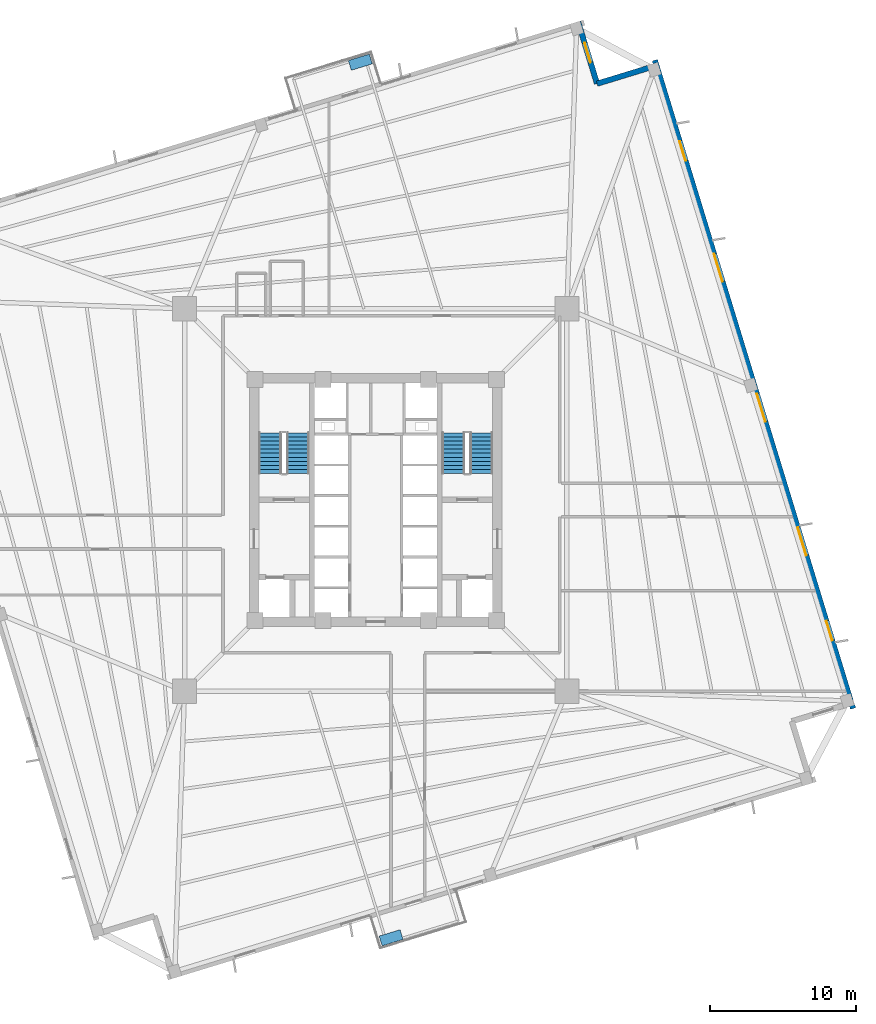
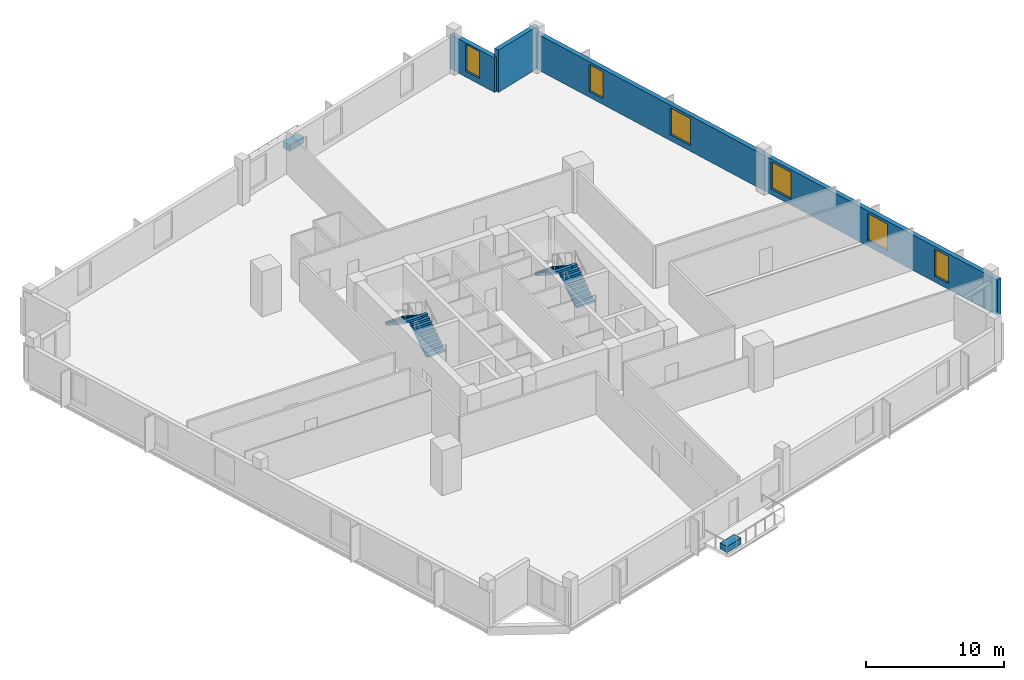
# One storey, part 5 of 8: 6 windows, 4 stair flights, 3 walls, 2 discrete accessories, 6 openings, 2 elements without a shape of their own.
"""IFC4 building model written with IfcOpenShell, lengths in metres."""

from ifc_helpers import new_model, si_unit, direction, frame, frame_2d, origin, origin_2d, place, context, subcontext, project, spatial, polyline, rectangle, outline, extrude, source, transform, mapped, material, layer, layer_set, type_object, element, fill, aggregate, save


model = new_model("IFC4")

# Units and contexts
model_context = context("Model", 3, precision=1e-05, world=origin(), true_north=direction((0.0, 1.0)))
body_context = subcontext(model_context, "Body", "Model", "MODEL_VIEW")
ifc_project = project(units=[si_unit("LENGTHUNIT", "METRE"), si_unit("AREAUNIT", "SQUARE_METRE"), si_unit("VOLUMEUNIT", "CUBIC_METRE"), si_unit("PLANEANGLEUNIT", "RADIAN"), si_unit("MASSUNIT", "GRAM", prefix="KILO"), si_unit("THERMODYNAMICTEMPERATUREUNIT", "KELVIN")], contexts=[model_context])

# Site, building, storey
site_placement = place(None, origin())
site = spatial("IfcSite", under=ifc_project, at=site_placement, CompositionType="ELEMENT")
building_placement = place(site_placement, origin())
building = spatial("IfcBuilding", under=site, at=building_placement, Name="Kosmvard Interchange Tower", CompositionType="ELEMENT")
storey_placement = place(building_placement, frame((0.0, 0.0, 103.199951171875)))
storey = spatial("IfcBuildingStorey", under=building, at=storey_placement, Name="L24", CompositionType="ELEMENT", Elevation=103.199951171875)

# Wall, openings, windows
ifc_material_1 = material(Name="Precast concrete C45/55", Category="concrete")
ifc_layer = layer(ifc_material_1, 0.3798828125, Name="Precast concrete C45/55")
ifc_layer_set = layer_set([ifc_layer], Name="Precast concrete C45/55")
wall_type = type_object("IfcWallType", Name="Lower Tower Precast Pier Wall 380 C45/55", PredefinedType="STANDARD", material=ifc_layer_set)
wall_1_placement = place(storey_placement, frame((32.65771484375, -14.26513671875, 0.0), z_axis=(0.0, 0.0, 1.0), x_axis=(-0.292373127906, 0.956304320851, 0.0)))
wall_1 = element("IfcWall", 1, at=wall_1_placement, inside=storey, type_object=wall_type, Name="L24 Precast Facade Wall F-E", PredefinedType="STANDARD", context=body_context, shape_type="SweptSolid", body=[
    extrude(rectangle(XDim=46.380126953125, YDim=0.3798828125, at=frame_2d((23.18994140625, 0.0))), origin(), (0.0, 0.0, 1.0), 3.14013671875),
])
opening_1_placement = place(wall_1_placement, frame((4.865478515625, 0.0, 0.510009765625)))
opening_1 = element("IfcOpeningElement", 2, at=opening_1_placement, cuts=wall_1, Name="Opening L24-W06", PredefinedType="OPENING", context=body_context, shape_type="SweptSolid", body=[
    extrude(rectangle(XDim=1.39990234375, YDim=2.39990234375, at=frame_2d((0.699951171875, 1.199951171875))), frame((0.0, 0.199951171875, 0.0), z_axis=(0.0, -1.0, 0.0), x_axis=(1.0, 0.0, 0.0)), (0.0, 0.0, 1.0), 0.39990234375),
])
opening_2_placement = place(wall_1_placement, frame((10.9501953125, 0.0, 0.510009765625)))
opening_2 = element("IfcOpeningElement", 3, at=opening_2_placement, cuts=wall_1, Name="Opening L24-W07", PredefinedType="OPENING", context=body_context, shape_type="SweptSolid", body=[
    extrude(rectangle(XDim=2.0, YDim=2.39990234375, at=frame_2d((1.0, 1.199951171875))), frame((0.0, 0.199951171875, 0.0), z_axis=(0.0, -1.0, 0.0), x_axis=(1.0, 0.0, 0.0)), (0.0, 0.0, 1.0), 0.39990234375),
])
opening_3_placement = place(wall_1_placement, frame((20.512451171875, 0.0, 0.510009765625)))
opening_3 = element("IfcOpeningElement", 4, at=opening_3_placement, cuts=wall_1, Name="Opening L24-W08", PredefinedType="OPENING", context=body_context, shape_type="SweptSolid", body=[
    extrude(rectangle(XDim=2.0, YDim=2.39990234375, at=frame_2d((1.0, 1.199951171875))), frame((0.0, 0.199951171875, 0.0), z_axis=(0.0, -1.0, 0.0), x_axis=(1.0, 0.0, 0.0)), (0.0, 0.0, 1.0), 0.39990234375),
])
opening_4_placement = place(wall_1_placement, frame((30.538330078125, 0.0, 0.510009765625)))
opening_4 = element("IfcOpeningElement", 5, at=opening_4_placement, cuts=wall_1, Name="Opening L24-W09", PredefinedType="OPENING", context=body_context, shape_type="SweptSolid", body=[
    extrude(rectangle(XDim=2.0, YDim=2.39990234375, at=frame_2d((1.0, 1.199951171875))), frame((0.0, 0.199951171875, 0.0), z_axis=(0.0, -1.0, 0.0), x_axis=(1.0, 0.0, 0.0)), (0.0, 0.0, 1.0), 0.39990234375),
])
opening_5_placement = place(wall_1_placement, frame((39.186767578125, 0.0, 0.510009765625)))
opening_5 = element("IfcOpeningElement", 6, at=opening_5_placement, cuts=wall_1, Name="Opening L24-W10", PredefinedType="OPENING", context=body_context, shape_type="SweptSolid", body=[
    extrude(rectangle(XDim=1.39990234375, YDim=2.39990234375, at=frame_2d((0.699951171875, 1.199951171875))), frame((0.0, 0.199951171875, 0.0), z_axis=(0.0, -1.0, 0.0), x_axis=(1.0, 0.0, 0.0)), (0.0, 0.0, 1.0), 0.39990234375),
])
ifc_material_2 = material(Name="Low-E solar-control double glazing", Category="glass")
window_type_1 = type_object("IfcWindowType", Name="Notched Corner Feature Window 1400x2400", PartitioningType="SINGLE_PANEL", PredefinedType="WINDOW", material=ifc_material_2)
shared_shape_1 = source(origin(), body_context, "Body", "SweptSolid", [
    extrude(rectangle(XDim=1.39990234375, YDim=2.39990234375, at=frame_2d((0.699951171875, 1.199951171875))), frame((0.0, 0.030029296875, 0.0), z_axis=(0.0, -1.0, 0.0), x_axis=(1.0, 0.0, 0.0)), (0.0, 0.0, 1.0), 0.06005859375),
])
window_1_placement = place(opening_1_placement, origin())
window_1 = element("IfcWindow", 7, at=window_1_placement, inside=storey, type_object=window_type_1, Name="L24 Facade Punched Window 06", OverallHeight=2.39990234375, OverallWidth=1.39990234375, PartitioningType="SINGLE_PANEL", PredefinedType="WINDOW", context=body_context, shape_type="MappedRepresentation", body=[
    mapped(shared_shape_1, transform((0.0, 0.0, 0.0), scale=1.0)),
])
fill(opening_1, window_1)
window_2_placement = place(opening_5_placement, origin())
window_2 = element("IfcWindow", 8, at=window_2_placement, inside=storey, type_object=window_type_1, Name="L24 Facade Punched Window 10", OverallHeight=2.39990234375, OverallWidth=1.39990234375, PartitioningType="SINGLE_PANEL", PredefinedType="WINDOW", context=body_context, shape_type="MappedRepresentation", body=[
    mapped(shared_shape_1, transform((0.0, 0.0, 0.0), scale=1.0)),
])
fill(opening_5, window_2)
window_type_2 = type_object("IfcWindowType", Name="Zone 2 Office Punched Window 2000x2400", PartitioningType="SINGLE_PANEL", PredefinedType="WINDOW", material=ifc_material_2)
shared_shape_2 = source(origin(), body_context, "Body", "SweptSolid", [
    extrude(rectangle(XDim=2.0, YDim=2.39990234375, at=frame_2d((1.0, 1.199951171875))), frame((0.0, 0.030029296875, 0.0), z_axis=(0.0, -1.0, 0.0), x_axis=(1.0, 0.0, 0.0)), (0.0, 0.0, 1.0), 0.06005859375),
])
window_3_placement = place(opening_2_placement, origin())
window_3 = element("IfcWindow", 9, at=window_3_placement, inside=storey, type_object=window_type_2, Name="L24 Facade Punched Window 07", OverallHeight=2.39990234375, OverallWidth=2.0, PartitioningType="SINGLE_PANEL", PredefinedType="WINDOW", context=body_context, shape_type="MappedRepresentation", body=[
    mapped(shared_shape_2, transform((0.0, 0.0, 0.0), scale=1.0)),
])
fill(opening_2, window_3)
window_4_placement = place(opening_3_placement, origin())
window_4 = element("IfcWindow", 10, at=window_4_placement, inside=storey, type_object=window_type_2, Name="L24 Facade Punched Window 08", OverallHeight=2.39990234375, OverallWidth=2.0, PartitioningType="SINGLE_PANEL", PredefinedType="WINDOW", context=body_context, shape_type="MappedRepresentation", body=[
    mapped(shared_shape_2, transform((0.0, 0.0, 0.0), scale=1.0)),
])
fill(opening_3, window_4)
window_5_placement = place(opening_4_placement, origin())
window_5 = element("IfcWindow", 11, at=window_5_placement, inside=storey, type_object=window_type_2, Name="L24 Facade Punched Window 09", OverallHeight=2.39990234375, OverallWidth=2.0, PartitioningType="SINGLE_PANEL", PredefinedType="WINDOW", context=body_context, shape_type="MappedRepresentation", body=[
    mapped(shared_shape_2, transform((0.0, 0.0, 0.0), scale=1.0)),
])
fill(opening_4, window_5)

# Wall
wall_2_placement = place(storey_placement, frame((19.20849609375, 29.724853515625, 0.0), z_axis=(0.0, 0.0, 1.0), x_axis=(-0.956312764915, -0.292345507338, 0.0)))
element("IfcWall", 12, at=wall_2_placement, inside=storey, type_object=wall_type, Name="L24 Precast Facade Wall N-NE1", PredefinedType="STANDARD", context=body_context, shape_type="SweptSolid", body=[
    extrude(rectangle(XDim=4.249755859375, YDim=0.3798828125, at=frame_2d((2.125, 0.0))), origin(), (0.0, 0.0, 1.0), 3.739990234375),
])

# Wall, opening, window
wall_3_placement = place(storey_placement, frame((15.144287109375, 28.482421875, 0.0), z_axis=(0.0, 0.0, 1.0), x_axis=(-0.292373601522, 0.956304176051, 0.0)))
wall_3 = element("IfcWall", 13, at=wall_3_placement, inside=storey, type_object=wall_type, Name="L24 Precast Facade Wall N-NE2", PredefinedType="STANDARD", context=body_context, shape_type="SweptSolid", body=[
    extrude(rectangle(XDim=4.43994140625, YDim=0.3798828125, at=frame_2d((2.219970703125, 0.0))), origin(), (0.0, 0.0, 1.0), 3.0400390625),
])
opening_6_placement = place(wall_3_placement, frame((1.52001953125, 0.0, 0.510009765625)))
opening_6 = element("IfcOpeningElement", 14, at=opening_6_placement, cuts=wall_3, Name="Opening L24-W22", PredefinedType="OPENING", context=body_context, shape_type="SweptSolid", body=[
    extrude(rectangle(XDim=1.39990234375, YDim=2.39990234375, at=frame_2d((0.699951171875, 1.199951171875))), frame((0.0, 0.199951171875, 0.0), z_axis=(0.0, -1.0, 0.0), x_axis=(1.0, 0.0, 0.0)), (0.0, 0.0, 1.0), 0.39990234375),
])
window_6_placement = place(opening_6_placement, origin())
window_6 = element("IfcWindow", 15, at=window_6_placement, inside=storey, type_object=window_type_1, Name="L24 Corner Notch Window 22", OverallHeight=2.39990234375, OverallWidth=1.39990234375, PartitioningType="SINGLE_PANEL", PredefinedType="WINDOW", context=body_context, shape_type="MappedRepresentation", body=[
    mapped(shared_shape_1, transform((0.0, 0.0, 0.0), scale=1.0)),
])
fill(opening_6, window_6)

# Stair, stair flights
ifc_material_3 = material(Name="Concrete C50/60", Category="concrete")
stair_type = type_object("IfcStairType", Name="Dog-Leg Core Exit Stair H4000 C50/60", PredefinedType="HALF_TURN_STAIR", material=ifc_material_3)
stair_1_placement = place(storey_placement, origin())
stair_1 = element("IfcStair", 16, at=stair_1_placement, inside=storey, type_object=stair_type, Name="L24 Protected Exit Stair ST-1", PredefinedType="HALF_TURN_STAIR")
stair_flight_type = type_object("IfcStairFlightType", Name="Core Stair Flight W1550 H4000 C50/60", PredefinedType="STRAIGHT", material=ifc_material_3)
shared_shape_3 = source(origin(), body_context, "Body", "SweptSolid", [
    extrude(outline(polyline([(0.0, 0.0), (0.0, 0.181884765625), (0.280029296875, 0.181884765625), (0.280029296875, 0.363525390625), (0.56005859375, 0.363525390625), (0.56005859375, 0.54541015625), (0.840087890625, 0.54541015625), (0.840087890625, 0.727294921875), (1.1201171875, 0.727294921875), (1.1201171875, 0.9091796875), (1.39990234375, 0.9091796875), (1.39990234375, 1.0908203125), (1.679931640625, 1.0908203125), (1.679931640625, 1.272705078125), (1.9599609375, 1.272705078125), (1.9599609375, 1.45458984375), (2.239990234375, 1.45458984375), (2.239990234375, 1.636474609375), (2.52001953125, 1.636474609375), (2.52001953125, 1.818115234375), (2.800048828125, 1.818115234375), (2.800048828125, 2.0), (2.800048828125, 1.62744140625), (0.293701171875, 0.0), (0.0, 0.0)])), frame((0.0, 0.77490234375, 0.0), z_axis=(0.0, -1.0, 0.0), x_axis=(1.0, 0.0, 0.0)), (0.0, 0.0, 1.0), 1.550048828125),
])
stair_flight_1_placement = place(storey_placement, frame((-5.31494140625, 1.800048828125, 0.0), z_axis=(0.0, 0.0, 1.0), x_axis=(0.0, 1.0, 0.0)))
stair_flight_1 = element("IfcStairFlight", 17, at=stair_flight_1_placement, type_object=stair_flight_type, Name="ST-1 flight 1", NumberOfRisers=11, NumberOfTreads=10, PredefinedType="STRAIGHT", RiserHeight=0.181818182, TreadLength=0.28, context=body_context, shape_type="MappedRepresentation", body=[
    mapped(shared_shape_3, transform((0.0, 0.0, 0.0), scale=1.0)),
])
stair_flight_2_placement = place(storey_placement, frame((-7.22509765625, 4.60009765625, 2.0), z_axis=(0.0, 0.0, 1.0), x_axis=(0.0, -1.0, 0.0)))
stair_flight_2 = element("IfcStairFlight", 18, at=stair_flight_2_placement, type_object=stair_flight_type, Name="ST-1 flight 2", NumberOfRisers=11, NumberOfTreads=10, PredefinedType="STRAIGHT", RiserHeight=0.181818182, TreadLength=0.28, context=body_context, shape_type="MappedRepresentation", body=[
    mapped(shared_shape_3, transform((0.0, 0.0, 0.0), scale=1.0)),
])
aggregate(stair_1, [stair_flight_1, stair_flight_2])

stair_2_placement = place(storey_placement, origin())
stair_2 = element("IfcStair", 19, at=stair_2_placement, inside=storey, type_object=stair_type, Name="L24 Protected Exit Stair ST-2", PredefinedType="HALF_TURN_STAIR")
stair_flight_3_placement = place(storey_placement, frame((7.22509765625, 1.800048828125, 0.0), z_axis=(0.0, 0.0, 1.0), x_axis=(0.0, 1.0, 0.0)))
stair_flight_3 = element("IfcStairFlight", 20, at=stair_flight_3_placement, type_object=stair_flight_type, Name="ST-2 flight 1", NumberOfRisers=11, NumberOfTreads=10, PredefinedType="STRAIGHT", RiserHeight=0.181818182, TreadLength=0.28, context=body_context, shape_type="MappedRepresentation", body=[
    mapped(shared_shape_3, transform((0.0, 0.0, 0.0), scale=1.0)),
])
stair_flight_4_placement = place(storey_placement, frame((5.31494140625, 4.60009765625, 2.0), z_axis=(0.0, 0.0, 1.0), x_axis=(0.0, -1.0, 0.0)))
stair_flight_4 = element("IfcStairFlight", 21, at=stair_flight_4_placement, type_object=stair_flight_type, Name="ST-2 flight 2", NumberOfRisers=11, NumberOfTreads=10, PredefinedType="STRAIGHT", RiserHeight=0.181818182, TreadLength=0.28, context=body_context, shape_type="MappedRepresentation", body=[
    mapped(shared_shape_3, transform((0.0, 0.0, 0.0), scale=1.0)),
])
aggregate(stair_2, [stair_flight_3, stair_flight_4])

# Discrete accessories
ifc_material_4 = material(Name="Terracotta precast planter concrete C45/55", Category="masonry")
discrete_accessory_type = type_object("IfcDiscreteAccessoryType", Name="Precast Tree-Balcony & Terrace Planter Box", PredefinedType="USERDEFINED", material=ifc_material_4)
shared_shape_4 = source(origin(), body_context, "Body", "SweptSolid", [
    extrude(rectangle(XDim=1.5, YDim=0.699951171875, at=origin_2d()), origin(), (0.0, 0.0, 1.0), 0.550048828125),
])
for number, where, z_axis, x_axis, name in (
    (22, (1.052734375, -29.950927734375, 0.0), (0.0, 0.0, 1.0), (0.956304755963, 0.292371704723, 0.0), "L24 Balcony Tree Planter BAL-L24-S"),
    (23, (-1.052734375, 29.950927734375, 0.0), (0.0, 0.0, 1.0), (0.956304755963, 0.292371704723, 0.0), "L24 Balcony Tree Planter BAL-L24-N"),
):
    element("IfcDiscreteAccessory", number, at=place(storey_placement, frame(where, z_axis=z_axis, x_axis=x_axis)), inside=storey, type_object=discrete_accessory_type, Name=name, ObjectType="PLANTER", PredefinedType="USERDEFINED", context=body_context, shape_type="MappedRepresentation", body=[
        mapped(shared_shape_4, transform((0.0, 0.0, 0.0), scale=1.0)),
    ])

save(model, "model.ifc")
